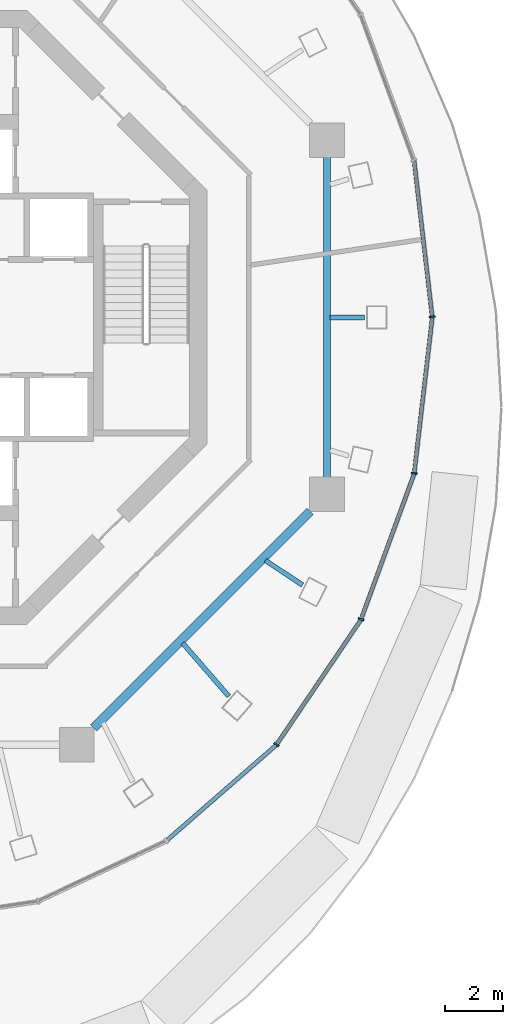
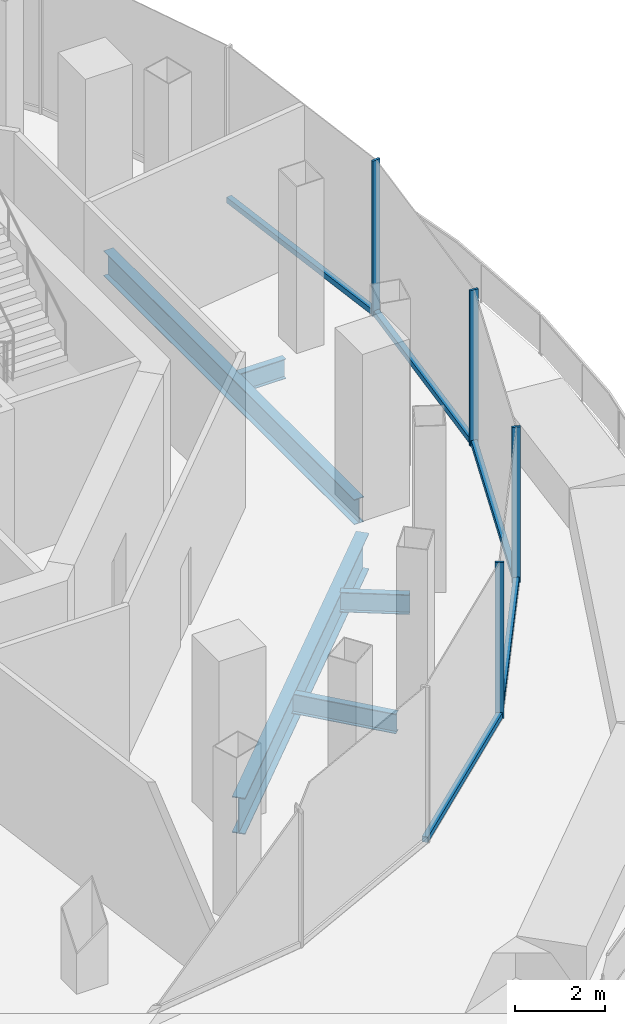
# One storey, part 3 of 12: 9 members, 5 beams, 5 elements without a shape of their own.
"""IFC4 building model written with IfcOpenShell, lengths in metres."""

from ifc_helpers import new_model, si_unit, direction, frame, origin, origin_2d, place, context, subcontext, project, spatial, rectangle, i_section, extrude, material, layer, layer_set, material_profile, profile_set, type_object, element, aggregate, save


model = new_model("IFC4")

# Units and contexts
model_context = context("Model", 3, precision=1e-05, world=origin(), true_north=direction((0.0, 1.0)))
body_context = subcontext(model_context, "Body", "Model", "MODEL_VIEW")
ifc_project = project(units=[si_unit("LENGTHUNIT", "METRE"), si_unit("AREAUNIT", "SQUARE_METRE"), si_unit("VOLUMEUNIT", "CUBIC_METRE"), si_unit("PLANEANGLEUNIT", "RADIAN"), si_unit("MASSUNIT", "GRAM", prefix="KILO")], contexts=[model_context])

# Site, building, storey
site_placement = place(None, origin())
site = spatial("IfcSite", under=ifc_project, at=site_placement, CompositionType="ELEMENT")
building_placement = place(site_placement, origin())
building = spatial("IfcBuilding", under=site, at=building_placement, Name="Nagisa Residences", CompositionType="ELEMENT")
storey_placement = place(building_placement, frame((0.0, 0.0, 315.89990234375)))
storey = spatial("IfcBuildingStorey", under=building, at=storey_placement, Name="L78", CompositionType="ELEMENT", Elevation=315.89990234375)

# Curtain wall, member
ifc_material_1 = material(Name="Aluminium curtain wall system", Category="aluminium")
ifc_layer = layer(ifc_material_1, 0.159912109375)
ifc_layer_set = layer_set([ifc_layer], Name="CW4 CURTAIN WALL")
curtain_wall_type = type_object("IfcCurtainWallType", Name="CW4 CURTAIN WALL", PredefinedType="NOTDEFINED", material=ifc_layer_set)
curtain_wall_1_placement = place(storey_placement, origin())
curtain_wall_1 = element("IfcCurtainWall", 1, at=curtain_wall_1_placement, inside=storey, type_object=curtain_wall_type, Name="cw:CW4:L78:00", PredefinedType="NOTDEFINED")
ifc_material_2 = material(Name="Aluminium", Category="aluminium")
ifc_material_profile_1 = material_profile(ifc_material_2, rectangle(XDim=0.199951171875, YDim=0.06005859375, at=origin_2d()), Name="CW4 MULLION 200x60")
ifc_profile_set_1 = profile_set([ifc_material_profile_1], Name="Aluminium")
member_type_1 = type_object("IfcMemberType", Name="CW4 MULLION 200x60", PredefinedType="MULLION", material=ifc_profile_set_1)
member_1_placement = place(storey_placement, frame((18.4169921875, 0.0205078125, 0.0), z_axis=(0.0, 0.0, 1.0), x_axis=(-0.993341467827, -0.115207327437, 0.0)))
member_1 = element("IfcMember", 2, at=member_1_placement, type_object=member_type_1, Name="CW4 mullion", PredefinedType="MULLION", context=body_context, shape_type="SweptSolid", body=[
    extrude(rectangle(XDim=0.199951171875, YDim=0.06005859375, at=origin_2d()), origin(), (0.0, 0.0, 1.0), 4.2001953125),
])

curtain_wall_2_placement = place(storey_placement, origin())
curtain_wall_2 = element("IfcCurtainWall", 3, at=curtain_wall_2_placement, inside=storey, type_object=curtain_wall_type, Name="cw:CW4:L78:21", PredefinedType="NOTDEFINED")
member_2_placement = place(storey_placement, frame((13.031982421875, -14.779541015625, 0.0), z_axis=(0.0, 0.0, 1.0), x_axis=(-0.828472554652, 0.560029665453, 0.0)))
member_2 = element("IfcMember", 4, at=member_2_placement, type_object=member_type_1, Name="CW4 mullion", PredefinedType="MULLION", context=body_context, shape_type="SweptSolid", body=[
    extrude(rectangle(XDim=0.199951171875, YDim=0.06005859375, at=origin_2d()), origin(), (0.0, 0.0, 1.0), 4.2001953125),
])

curtain_wall_3_placement = place(storey_placement, origin())
curtain_wall_3 = element("IfcCurtainWall", 5, at=curtain_wall_3_placement, inside=storey, type_object=curtain_wall_type, Name="cw:CW4:L78:22", PredefinedType="NOTDEFINED")
member_3_placement = place(storey_placement, frame((15.95654296875, -10.4443359375, 0.0), z_axis=(0.0, 0.0, 1.0), x_axis=(-0.939410855128, 0.342793298167, 0.0)))
member_3 = element("IfcMember", 6, at=member_3_placement, type_object=member_type_1, Name="CW4 mullion", PredefinedType="MULLION", context=body_context, shape_type="SweptSolid", body=[
    extrude(rectangle(XDim=0.199951171875, YDim=0.06005859375, at=origin_2d()), origin(), (0.0, 0.0, 1.0), 4.2001953125),
])

curtain_wall_4_placement = place(storey_placement, origin())
curtain_wall_4 = element("IfcCurtainWall", 7, at=curtain_wall_4_placement, inside=storey, type_object=curtain_wall_type, Name="cw:CW4:L78:23", PredefinedType="NOTDEFINED")
member_4_placement = place(storey_placement, frame((17.793701171875, -5.396240234375, 0.0), z_axis=(0.0, 0.0, 1.0), x_axis=(-0.993341467827, 0.115207327437, 0.0)))
member_4 = element("IfcMember", 8, at=member_4_placement, type_object=member_type_1, Name="CW4 mullion", PredefinedType="MULLION", context=body_context, shape_type="SweptSolid", body=[
    extrude(rectangle(XDim=0.199951171875, YDim=0.06005859375, at=origin_2d()), origin(), (0.0, 0.0, 1.0), 4.2001953125),
])

# Member
ifc_material_3 = material(Name="Aluminium", Category="aluminium")
ifc_material_profile_2 = material_profile(ifc_material_3, rectangle(XDim=0.139892578125, YDim=0.14990234375, at=origin_2d()), Name="CW4 TRANSOM 140x150")
ifc_profile_set_2 = profile_set([ifc_material_profile_2], Name="Aluminium")
member_type_2 = type_object("IfcMemberType", Name="CW4 TRANSOM 140x150", PredefinedType="USERDEFINED", material=ifc_profile_set_2)
member_5_placement = place(storey_placement, frame((18.420654296875, -0.00927734375, 0.0751953125), z_axis=(-0.115249001686, 0.993336633579, 0.0), x_axis=(-0.993336633579, -0.115249001686, 0.0)))
member_5 = element("IfcMember", 9, at=member_5_placement, type_object=member_type_2, Name="CW4 transom", ObjectType="TRANSOM", PredefinedType="USERDEFINED", context=body_context, shape_type="SweptSolid", body=[
    extrude(rectangle(XDim=0.139892578125, YDim=0.14990234375, at=origin_2d()), origin(), (0.0, 0.0, 1.0), 5.4716796875),
])

aggregate(curtain_wall_1, [member_1, member_5])

# Curtain wall, member
curtain_wall_5_placement = place(storey_placement, origin())
curtain_wall_5 = element("IfcCurtainWall", 10, at=curtain_wall_5_placement, inside=storey, type_object=curtain_wall_type, Name="cw:CW4:L78:20", PredefinedType="NOTDEFINED")
member_6_placement = place(storey_placement, frame((9.197509765625, -18.126220703125, 0.0751953125), z_axis=(0.754057031444, 0.656808947358, 0.0), x_axis=(-0.656808947358, 0.754057031444, 0.0)))
member_6 = element("IfcMember", 11, at=member_6_placement, type_object=member_type_2, Name="CW4 transom", ObjectType="TRANSOM", PredefinedType="USERDEFINED", context=body_context, shape_type="SweptSolid", body=[
    extrude(rectangle(XDim=0.139892578125, YDim=0.14990234375, at=origin_2d()), origin(), (0.0, 0.0, 1.0), 5.081298828125),
])
aggregate(curtain_wall_5, [member_6])

# Member
member_7_placement = place(storey_placement, frame((13.01513671875, -14.804443359375, 0.0751953125), z_axis=(0.560011865881, 0.828484586503, 0.0), x_axis=(-0.828484586503, 0.560011865881, 0.0)))
member_7 = element("IfcMember", 12, at=member_7_placement, type_object=member_type_2, Name="CW4 transom", ObjectType="TRANSOM", PredefinedType="USERDEFINED", context=body_context, shape_type="SweptSolid", body=[
    extrude(rectangle(XDim=0.139892578125, YDim=0.14990234375, at=origin_2d()), origin(), (0.0, 0.0, 1.0), 5.249755859375),
])

aggregate(curtain_wall_2, [member_2, member_7])

member_8_placement = place(storey_placement, frame((15.9462890625, -10.47265625, 0.0751953125), z_axis=(0.34278268103, 0.939414729279, 0.0), x_axis=(-0.939414729279, 0.34278268103, 0.0)))
member_8 = element("IfcMember", 13, at=member_8_placement, type_object=member_type_2, Name="CW4 transom", ObjectType="TRANSOM", PredefinedType="USERDEFINED", context=body_context, shape_type="SweptSolid", body=[
    extrude(rectangle(XDim=0.139892578125, YDim=0.14990234375, at=origin_2d()), origin(), (0.0, 0.0, 1.0), 5.3916015625),
])

aggregate(curtain_wall_3, [member_3, member_8])

member_9_placement = place(storey_placement, frame((17.7900390625, -5.426025390625, 0.0751953125), z_axis=(0.115249001686, 0.993336633579, 0.0), x_axis=(-0.993336633579, 0.115249001686, 0.0)))
member_9 = element("IfcMember", 14, at=member_9_placement, type_object=member_type_2, Name="CW4 transom", ObjectType="TRANSOM", PredefinedType="USERDEFINED", context=body_context, shape_type="SweptSolid", body=[
    extrude(rectangle(XDim=0.139892578125, YDim=0.14990234375, at=origin_2d()), origin(), (0.0, 0.0, 1.0), 5.4716796875),
])

aggregate(curtain_wall_4, [member_4, member_9])

# Beams
ifc_material_4 = material(Name="Steel ASTM A572 Gr 50", Category="steel")
ifc_material_profile_3 = material_profile(ifc_material_4, i_section(OverallWidth=0.300048828125, OverallDepth=0.97998046875, WebThickness=0.0166015625, FlangeThickness=0.02587890625, at=origin_2d()), Name="W1000x249")
ifc_profile_set_3 = profile_set([ifc_material_profile_3], Name="Steel ASTM A572 Gr 50")
beam_type_1 = type_object("IfcBeamType", Name="Inner ring beam W1000x249", PredefinedType="BEAM", material=ifc_profile_set_3)
beam_1_placement = place(storey_placement, frame((6.708740234375, -14.1962890625, -0.789794921875), z_axis=(0.707106781187, 0.707106781187, 0.0), x_axis=(-0.707106781187, 0.707106781187, 0.0)))
element("IfcBeam", 15, at=beam_1_placement, inside=storey, type_object=beam_type_1, Name="beam:L78:ib7", PredefinedType="BEAM", context=body_context, shape_type="SweptSolid", body=[
    extrude(i_section(OverallWidth=0.300048828125, OverallDepth=0.97998046875, WebThickness=0.0166015625, FlangeThickness=0.02587890625, at=origin_2d()), origin(), (0.0, 0.0, 1.0), 10.589111328125),
])
ifc_material_5 = material(Name="Steel ASTM A572 Gr 50", Category="steel")
ifc_material_profile_4 = material_profile(ifc_material_5, i_section(OverallWidth=0.2529296875, OverallDepth=0.677978515625, WebThickness=0.01171875, FlangeThickness=0.016357421875, at=origin_2d()), Name="W690x125")
ifc_profile_set_4 = profile_set([ifc_material_profile_4], Name="Steel ASTM A572 Gr 50")
beam_type_2 = type_object("IfcBeamType", Name="Inner ring beam W690x125", PredefinedType="BEAM", material=ifc_profile_set_4)
beam_2_placement = place(storey_placement, frame((14.781982421875, -5.54296875, -0.638916015625), z_axis=(0.0, 1.0, 0.0), x_axis=(-1.0, 0.0, 0.0)))
element("IfcBeam", 16, at=beam_2_placement, inside=storey, type_object=beam_type_2, Name="beam:L78:ib8", PredefinedType="BEAM", context=body_context, shape_type="SweptSolid", body=[
    extrude(i_section(OverallWidth=0.2529296875, OverallDepth=0.677978515625, WebThickness=0.01171875, FlangeThickness=0.016357421875, at=origin_2d()), origin(), (0.0, 0.0, 1.0), 11.0859375),
])
ifc_material_6 = material(Name="Steel ASTM A572 Gr 50", Category="steel")
ifc_material_profile_5 = material_profile(ifc_material_6, i_section(OverallWidth=0.166015625, OverallDepth=0.534912109375, WebThickness=0.01025390625, FlangeThickness=0.0166015625, at=origin_2d()), Name="W530x85")
ifc_profile_set_5 = profile_set([ifc_material_profile_5], Name="Steel ASTM A572 Gr 50")
beam_type_3 = type_object("IfcBeamType", Name="Radial beam W530x85", PredefinedType="BEAM", material=ifc_profile_set_5)
beam_3_placement = place(storey_placement, frame((16.070068359375, 0.0, -0.5673828125), z_axis=(-1.0, 0.0, 0.0), x_axis=(0.0, -1.0, 0.0)))
element("IfcBeam", 17, at=beam_3_placement, inside=storey, type_object=beam_type_3, Name="beam:L78:rb01", PredefinedType="BEAM", context=body_context, shape_type="SweptSolid", body=[
    extrude(i_section(OverallWidth=0.166015625, OverallDepth=0.534912109375, WebThickness=0.01025390625, FlangeThickness=0.0166015625, at=origin_2d()), origin(), (0.0, 0.0, 1.0), 1.181396484375),
])
beam_4_placement = place(storey_placement, frame((11.382568359375, -13.107177734375, -0.5673828125), z_axis=(-0.655716746836, 0.755006985344, 0.0), x_axis=(-0.755006985344, -0.655716746836, 0.0)))
element("IfcBeam", 18, at=beam_4_placement, inside=storey, type_object=beam_type_3, Name="beam:L78:rb22", PredefinedType="BEAM", context=body_context, shape_type="SweptSolid", body=[
    extrude(i_section(OverallWidth=0.166015625, OverallDepth=0.534912109375, WebThickness=0.01025390625, FlangeThickness=0.0166015625, at=origin_2d()), origin(), (0.0, 0.0, 1.0), 2.434326171875),
])
beam_5_placement = place(storey_placement, frame((13.9287109375, -9.260009765625, -0.5673828125), z_axis=(-0.832782103527, 0.553600910445, 0.0), x_axis=(-0.553600910445, -0.832782103527, 0.0)))
element("IfcBeam", 19, at=beam_5_placement, inside=storey, type_object=beam_type_3, Name="beam:L78:rb23", PredefinedType="BEAM", context=body_context, shape_type="SweptSolid", body=[
    extrude(i_section(OverallWidth=0.166015625, OverallDepth=0.534912109375, WebThickness=0.01025390625, FlangeThickness=0.0166015625, at=origin_2d()), origin(), (0.0, 0.0, 1.0), 1.538330078125),
])

save(model, "model.ifc")
